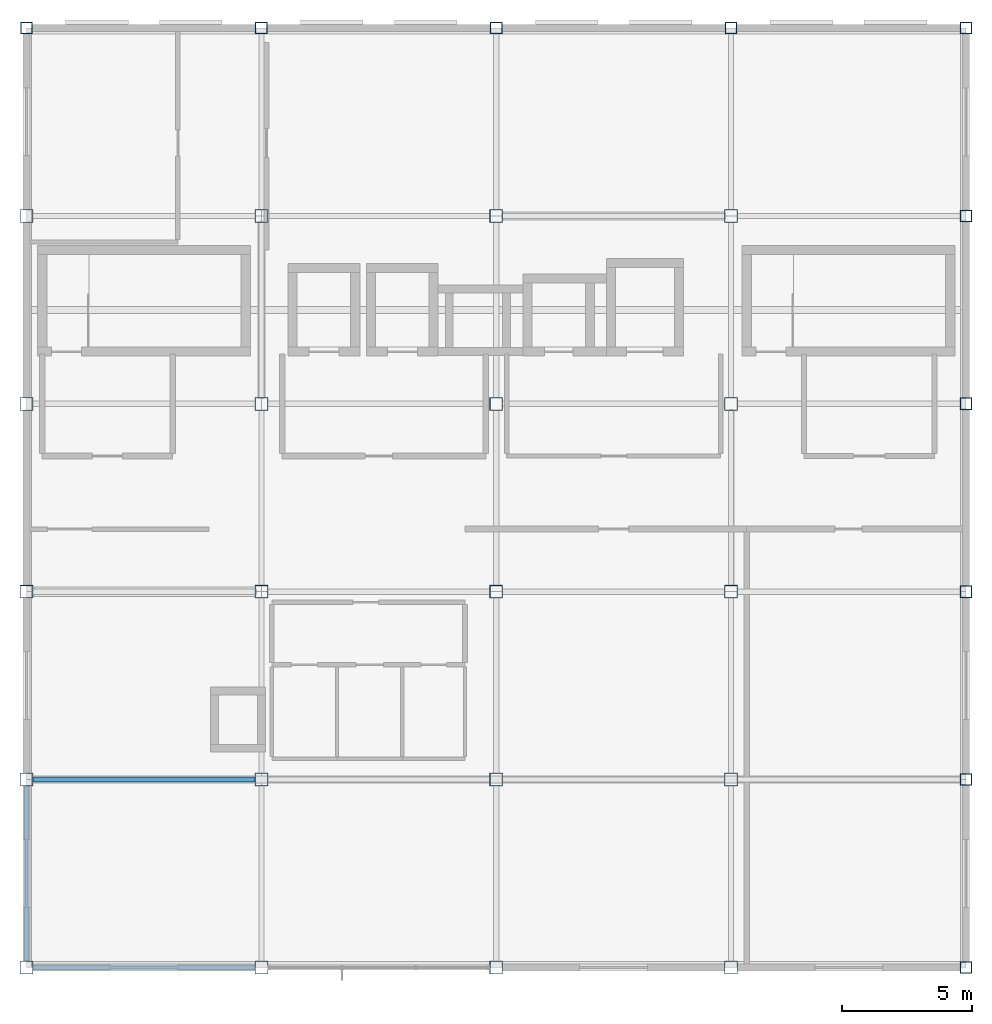
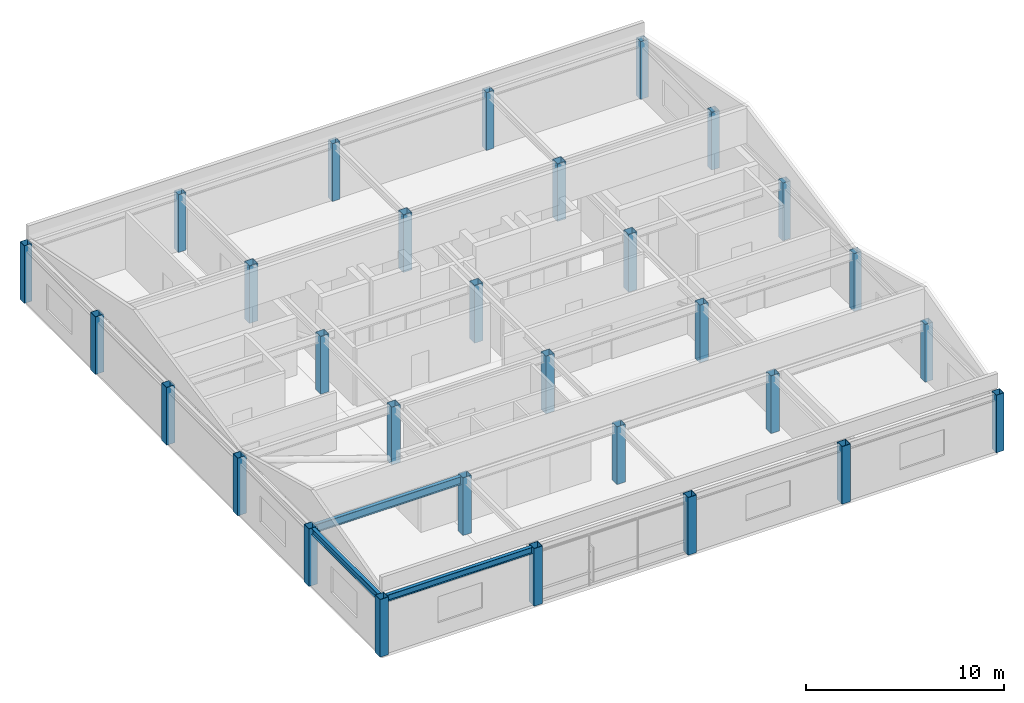
# One storey, part 1 of 9: 30 columns, 3 beams.
"""IFC4 building model written with IfcOpenShell, lengths in metres."""

from ifc_helpers import new_model, si_unit, direction, frame, origin, origin_2d, place, context, subcontext, project, spatial, hollow_rectangle, i_section, extrude, material, material_profile, profile_set, type_object, element, save


model = new_model("IFC4")

# Units and contexts
model_context = context("Model", 3, precision=1e-05, world=origin(), true_north=direction((0.0, 1.0)))
body_context = subcontext(model_context, "Body", "Model", "MODEL_VIEW")
ifc_project = project(units=[si_unit("LENGTHUNIT", "METRE"), si_unit("AREAUNIT", "SQUARE_METRE"), si_unit("VOLUMEUNIT", "CUBIC_METRE"), si_unit("PLANEANGLEUNIT", "RADIAN"), si_unit("MASSUNIT", "GRAM", prefix="KILO")], contexts=[model_context])

# Site, building, storey
site_placement = place(None, origin())
site = spatial("IfcSite", under=ifc_project, at=site_placement, CompositionType="ELEMENT")
building_placement = place(site_placement, origin())
building = spatial("IfcBuilding", under=site, at=building_placement, Name="Kazanami Central Library", CompositionType="ELEMENT")
storey_placement = place(building_placement, frame((0.0, 0.0, 31.39990234375)))
storey = spatial("IfcBuildingStorey", under=building, at=storey_placement, Name="L09", CompositionType="ELEMENT", Elevation=31.39990234375)

# Columns
ifc_material_1 = material(Name="Steel BCP325 (325 MPa)", Category="steel")
ifc_material_profile_1 = material_profile(ifc_material_1, hollow_rectangle(XDim=0.5, YDim=0.5, WallThickness=0.02197265625, at=origin_2d()), Name="BCP-500x500x22")
ifc_profile_set_1 = profile_set([ifc_material_profile_1], Name="Steel BCP325 (325 MPa)")
column_type_1 = type_object("IfcColumnType", Name="COL-C-T4I", PredefinedType="COLUMN", material=ifc_profile_set_1)
for number, where, z_axis, x_axis, name in (
    (1, (126.0, 57.60009765625, 0.0), (0.0, 0.0, 1.0), (1.0, 0.0, 0.0), "Column C-T4I L09 15/J"),
    (2, (126.0, 64.800048828125, 0.0), (0.0, 0.0, 1.0), (1.0, 0.0, 0.0), "Column C-T4I L09 15/K"),
    (3, (126.0, 72.0, 0.0), (0.0, 0.0, 1.0), (1.0, 0.0, 0.0), "Column C-T4I L09 15/L"),
    (4, (126.0, 79.199951171875, 0.0), (0.0, 0.0, 1.0), (1.0, 0.0, 0.0), "Column C-T4I L09 15/M"),
    (5, (126.0, 86.39990234375, 0.0), (0.0, 0.0, 1.0), (1.0, 0.0, 0.0), "Column C-T4I L09 15/N"),
    (6, (135.0, 57.60009765625, 0.0), (0.0, 0.0, 1.0), (1.0, 0.0, 0.0), "Column C-T4I L09 16/J"),
    (7, (135.0, 64.800048828125, 0.0), (0.0, 0.0, 1.0), (1.0, 0.0, 0.0), "Column C-T4I L09 16/K"),
    (8, (135.0, 72.0, 0.0), (0.0, 0.0, 1.0), (1.0, 0.0, 0.0), "Column C-T4I L09 16/L"),
    (9, (135.0, 79.199951171875, 0.0), (0.0, 0.0, 1.0), (1.0, 0.0, 0.0), "Column C-T4I L09 16/M"),
    (10, (135.0, 86.39990234375, 0.0), (0.0, 0.0, 1.0), (1.0, 0.0, 0.0), "Column C-T4I L09 16/N"),
    (11, (144.0, 57.60009765625, 0.0), (0.0, 0.0, 1.0), (1.0, 0.0, 0.0), "Column C-T4I L09 17/J"),
    (12, (144.0, 64.800048828125, 0.0), (0.0, 0.0, 1.0), (1.0, 0.0, 0.0), "Column C-T4I L09 17/K"),
    (13, (144.0, 72.0, 0.0), (0.0, 0.0, 1.0), (1.0, 0.0, 0.0), "Column C-T4I L09 17/L"),
    (14, (144.0, 79.199951171875, 0.0), (0.0, 0.0, 1.0), (1.0, 0.0, 0.0), "Column C-T4I L09 17/M"),
    (15, (144.0, 86.39990234375, 0.0), (0.0, 0.0, 1.0), (1.0, 0.0, 0.0), "Column C-T4I L09 17/N"),
    (16, (153.0, 57.60009765625, 0.0), (0.0, 0.0, 1.0), (1.0, 0.0, 0.0), "Column C-T4I L09 18/J"),
    (17, (153.0, 64.800048828125, 0.0), (0.0, 0.0, 1.0), (1.0, 0.0, 0.0), "Column C-T4I L09 18/K"),
    (18, (153.0, 72.0, 0.0), (0.0, 0.0, 1.0), (1.0, 0.0, 0.0), "Column C-T4I L09 18/L"),
    (19, (153.0, 79.199951171875, 0.0), (0.0, 0.0, 1.0), (1.0, 0.0, 0.0), "Column C-T4I L09 18/M"),
    (20, (153.0, 86.39990234375, 0.0), (0.0, 0.0, 1.0), (1.0, 0.0, 0.0), "Column C-T4I L09 18/N"),
):
    element("IfcColumn", number, at=place(storey_placement, frame(where, z_axis=z_axis, x_axis=x_axis)), inside=storey, type_object=column_type_1, Name=name, PredefinedType="COLUMN", context=body_context, shape_type="SweptSolid", body=[
        extrude(hollow_rectangle(XDim=0.5, YDim=0.5, WallThickness=0.02197265625, at=origin_2d()), origin(), (0.0, 0.0, 1.0), 3.56005859375),
    ])
ifc_material_profile_2 = material_profile(ifc_material_1, hollow_rectangle(XDim=0.449951171875, YDim=0.449951171875, WallThickness=0.01904296875, at=origin_2d()), Name="BCP-450x450x19")
ifc_profile_set_2 = profile_set([ifc_material_profile_2], Name="Steel BCP325 (325 MPa)")
column_type_2 = type_object("IfcColumnType", Name="COL-C-T5P", PredefinedType="COLUMN", material=ifc_profile_set_2)
for number, where, z_axis, x_axis, name in (
    (21, (126.0, 93.60009765625, 0.0), (0.0, 0.0, 1.0), (1.0, 0.0, 0.0), "Column C-T5P L09 15/O"),
    (22, (135.0, 93.60009765625, 0.0), (0.0, 0.0, 1.0), (1.0, 0.0, 0.0), "Column C-T5P L09 16/O"),
    (23, (144.0, 93.60009765625, 0.0), (0.0, 0.0, 1.0), (1.0, 0.0, 0.0), "Column C-T5P L09 17/O"),
    (24, (153.0, 93.60009765625, 0.0), (0.0, 0.0, 1.0), (1.0, 0.0, 0.0), "Column C-T5P L09 18/O"),
    (25, (162.0, 57.60009765625, 0.0), (0.0, 0.0, 1.0), (1.0, 0.0, 0.0), "Column C-T5P L09 19/J"),
    (26, (162.0, 64.800048828125, 0.0), (0.0, 0.0, 1.0), (1.0, 0.0, 0.0), "Column C-T5P L09 19/K"),
    (27, (162.0, 72.0, 0.0), (0.0, 0.0, 1.0), (1.0, 0.0, 0.0), "Column C-T5P L09 19/L"),
    (28, (162.0, 79.199951171875, 0.0), (0.0, 0.0, 1.0), (1.0, 0.0, 0.0), "Column C-T5P L09 19/M"),
    (29, (162.0, 86.39990234375, 0.0), (0.0, 0.0, 1.0), (1.0, 0.0, 0.0), "Column C-T5P L09 19/N"),
    (30, (162.0, 93.60009765625, 0.0), (0.0, 0.0, 1.0), (1.0, 0.0, 0.0), "Column C-T5P L09 19/O"),
):
    element("IfcColumn", number, at=place(storey_placement, frame(where, z_axis=z_axis, x_axis=x_axis)), inside=storey, type_object=column_type_2, Name=name, PredefinedType="COLUMN", context=body_context, shape_type="SweptSolid", body=[
        extrude(hollow_rectangle(XDim=0.449951171875, YDim=0.449951171875, WallThickness=0.01904296875, at=origin_2d()), origin(), (0.0, 0.0, 1.0), 3.56005859375),
    ])

# Beams
ifc_material_2 = material(Name="Steel SN490B (325 MPa)", Category="steel")
ifc_material_profile_3 = material_profile(ifc_material_2, i_section(OverallWidth=0.199951171875, OverallDepth=0.5, WebThickness=0.010009765625, FlangeThickness=0.01611328125, at=origin_2d()), Name="H-500x200x10x16")
ifc_profile_set_3 = profile_set([ifc_material_profile_3], Name="Steel SN490B (325 MPa)")
beam_type_1 = type_object("IfcBeamType", Name="BM-G-X4", PredefinedType="BEAM", material=ifc_profile_set_3)
beam_1_placement = place(storey_placement, frame((126.248046875, 64.800048828125, 3.31005859375), z_axis=(1.0, 0.0, 0.0), x_axis=(0.0, 1.0, 0.0)))
element("IfcBeam", 31, at=beam_1_placement, inside=storey, type_object=beam_type_1, Name="Girder G-X4 L09 K/15-16", PredefinedType="BEAM", context=body_context, shape_type="SweptSolid", body=[
    extrude(i_section(OverallWidth=0.199951171875, OverallDepth=0.5, WebThickness=0.010009765625, FlangeThickness=0.01611328125, at=origin_2d()), origin(), (0.0, 0.0, 1.0), 8.50390625),
])
ifc_material_profile_4 = material_profile(ifc_material_2, i_section(OverallWidth=0.199951171875, OverallDepth=0.39990234375, WebThickness=0.008056640625, FlangeThickness=0.012939453125, at=origin_2d()), Name="H-400x200x8x13")
ifc_profile_set_4 = profile_set([ifc_material_profile_4], Name="Steel SN490B (325 MPa)")
beam_type_2 = type_object("IfcBeamType", Name="BM-SP-3", PredefinedType="SPANDREL", material=ifc_profile_set_4)
beam_2_placement = place(storey_placement, frame((126.248046875, 57.60009765625, 3.360107421875), z_axis=(1.0, 0.0, 0.0), x_axis=(0.0, 1.0, 0.0)))
element("IfcBeam", 32, at=beam_2_placement, inside=storey, type_object=beam_type_2, Name="Girder SP-3 L09 J/15-16", PredefinedType="SPANDREL", context=body_context, shape_type="SweptSolid", body=[
    extrude(i_section(OverallWidth=0.199951171875, OverallDepth=0.39990234375, WebThickness=0.008056640625, FlangeThickness=0.012939453125, at=origin_2d()), origin(), (0.0, 0.0, 1.0), 8.50390625),
])
beam_3_placement = place(storey_placement, frame((126.0, 57.847900390625, 3.360107421875), z_axis=(0.0, 1.0, 0.0), x_axis=(-1.0, 0.0, 0.0)))
element("IfcBeam", 33, at=beam_3_placement, inside=storey, type_object=beam_type_2, Name="Girder SP-3 L09 15/J-K", PredefinedType="SPANDREL", context=body_context, shape_type="SweptSolid", body=[
    extrude(i_section(OverallWidth=0.199951171875, OverallDepth=0.39990234375, WebThickness=0.008056640625, FlangeThickness=0.012939453125, at=origin_2d()), origin(), (0.0, 0.0, 1.0), 6.7041015625),
])

save(model, "model.ifc")
